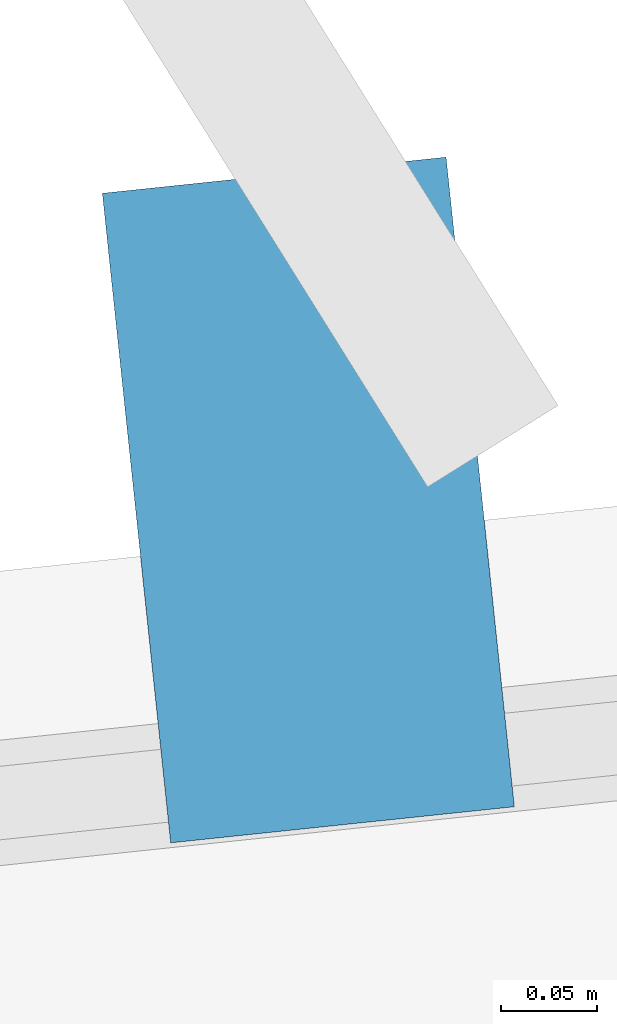
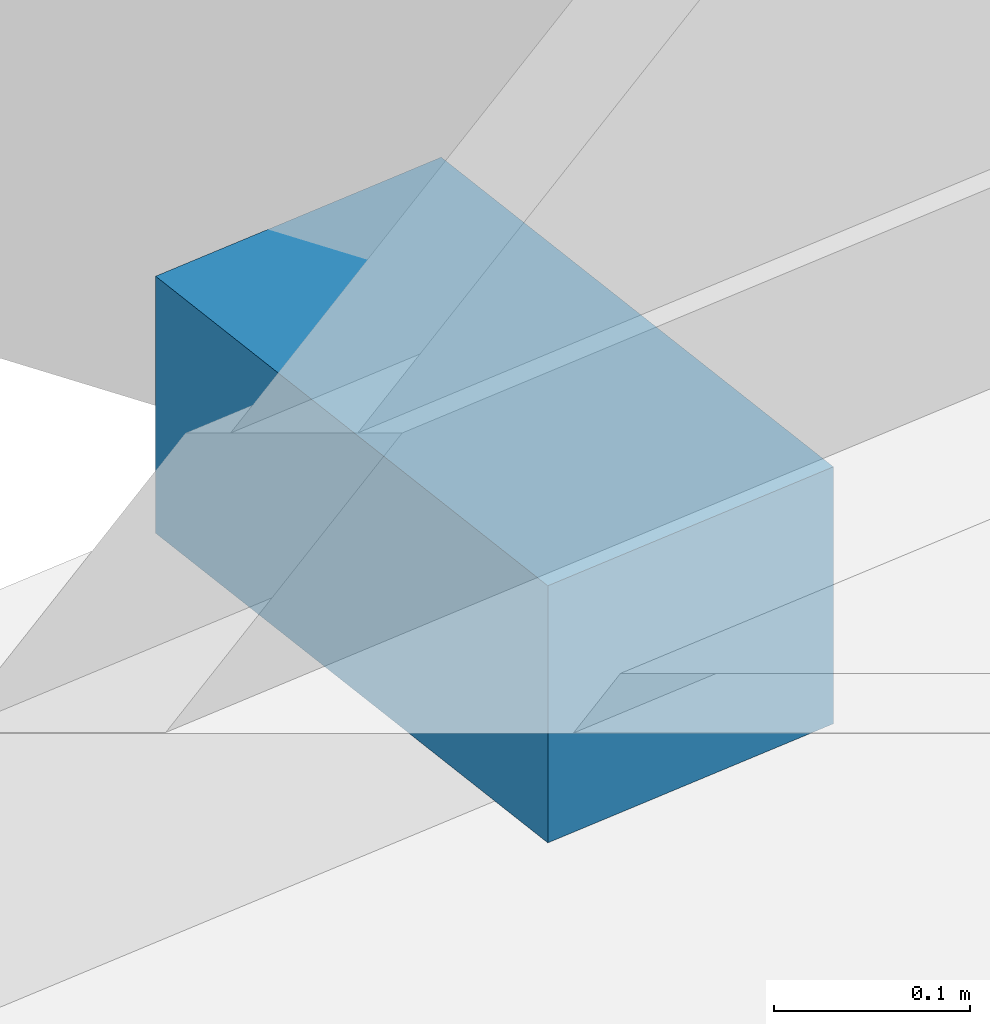
# One storey, part 15 of 20: 1 discrete accessory.
"""IFC4 building model written with IfcOpenShell, lengths in metres."""

from ifc_helpers import new_model, si_unit, direction, frame, origin, origin_2d, place, context, subcontext, project, spatial, rectangle, extrude, material, type_object, element, save


model = new_model("IFC4")

# Units and contexts
model_context = context("Model", 3, precision=1e-05, world=origin(), true_north=direction((0.0, 1.0)))
body_context = subcontext(model_context, "Body", "Model", "MODEL_VIEW")
ifc_project = project(units=[si_unit("LENGTHUNIT", "METRE"), si_unit("AREAUNIT", "SQUARE_METRE"), si_unit("VOLUMEUNIT", "CUBIC_METRE"), si_unit("PLANEANGLEUNIT", "RADIAN"), si_unit("MASSUNIT", "GRAM", prefix="KILO")], contexts=[model_context])

# Site, building, storey
site_placement = place(None, origin())
site = spatial("IfcSite", under=ifc_project, at=site_placement, CompositionType="ELEMENT")
building_placement = place(site_placement, origin())
building = spatial("IfcBuilding", under=site, at=building_placement, Name="Solmavex Isthmus Hotel", CompositionType="ELEMENT")
storey_placement = place(building_placement, frame((0.0, 0.0, 97.35009765625)))
storey = spatial("IfcBuildingStorey", under=building, at=storey_placement, Name="L26", CompositionType="ELEMENT", Elevation=97.35009765625)

# Discrete accessory
ifc_material = material(Name="Steel ASTM A572 Grade 50", Category="steel")
discrete_accessory_type = type_object("IfcDiscreteAccessoryType", Name="ACC-BRK-FIN", PredefinedType="BRACKET", material=ifc_material)
discrete_accessory_placement = place(storey_placement, frame((21.777587890625, 23.484375, -0.169921875), z_axis=(0.0, 0.0, 1.0), x_axis=(-0.104528463268, 0.994521895368, 0.0)))
element("IfcDiscreteAccessory", 1, at=discrete_accessory_placement, inside=storey, type_object=discrete_accessory_type, Name="Facade Fin Support Bracket L26-N5", PredefinedType="BRACKET", context=body_context, shape_type="SweptSolid", body=[
    extrude(rectangle(XDim=0.340087890625, YDim=0.179931640625, at=origin_2d()), origin(), (0.0, 0.0, 1.0), 0.159912109375),
])

save(model, "model.ifc")
